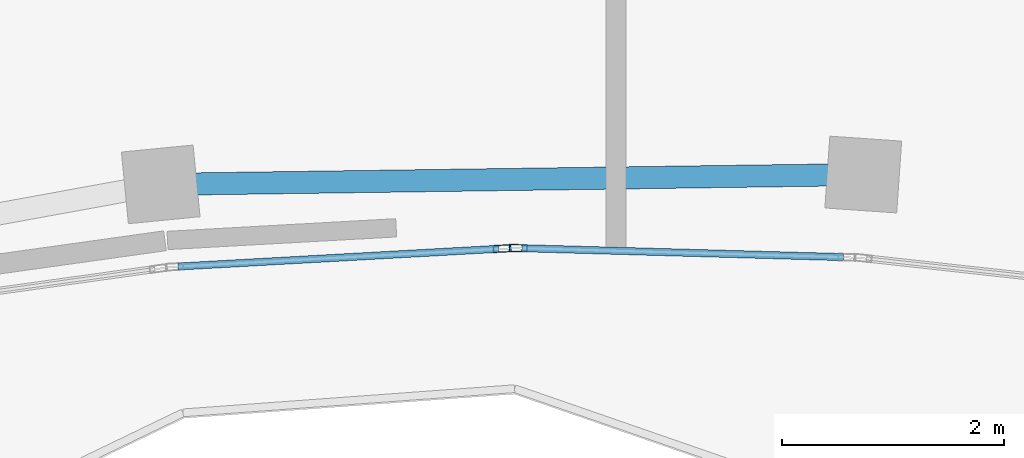
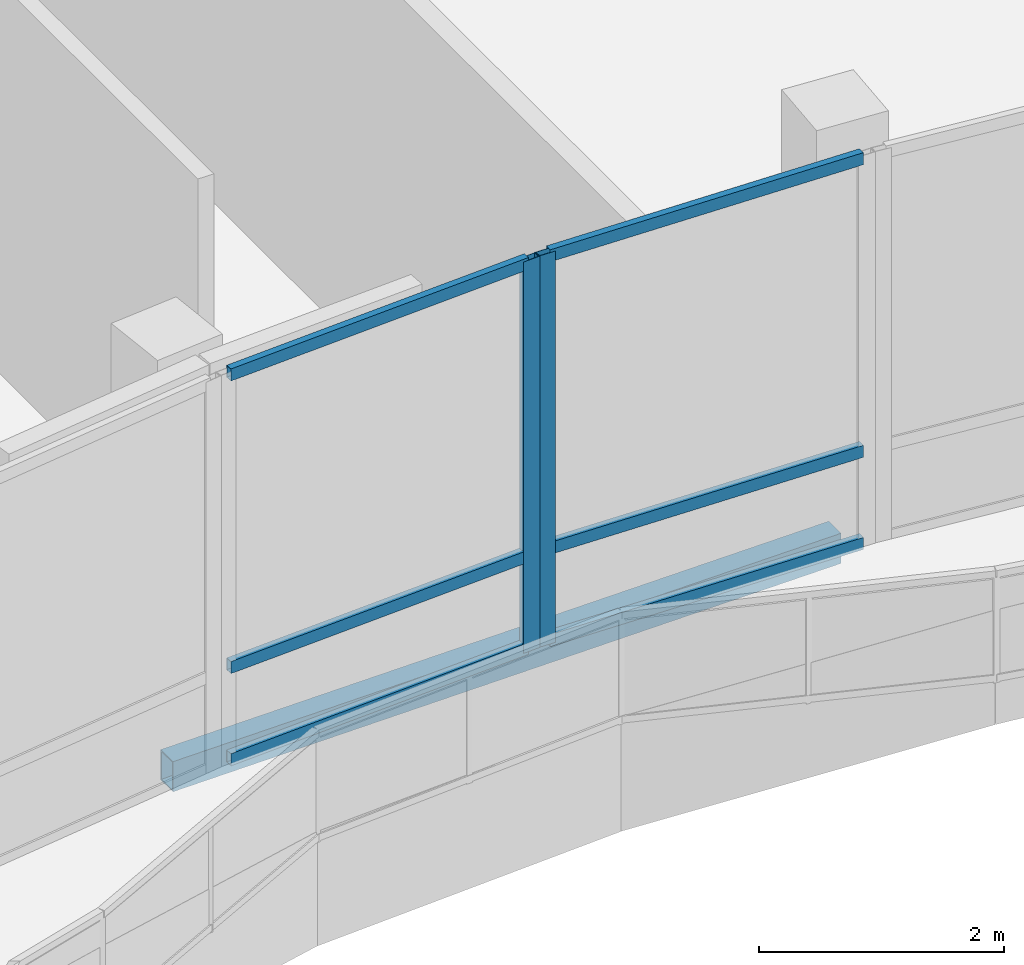
# One storey, part 69 of 184: 8 members, 1 beam, 2 elements without a shape of their own.
"""IFC4 building model written with IfcOpenShell, lengths in metres."""

from ifc_helpers import new_model, si_unit, direction, frame, origin, origin_2d, place, context, subcontext, project, spatial, hollow_rectangle, extrude, material, material_profile, profile_set, type_object, element, aggregate, save


model = new_model("IFC4")

# Units and contexts
model_context = context("Model", 3, precision=1e-05, world=origin(), true_north=direction((0.0, 1.0)))
body_context = subcontext(model_context, "Body", "Model", "MODEL_VIEW")
ifc_project = project(units=[si_unit("LENGTHUNIT", "METRE"), si_unit("AREAUNIT", "SQUARE_METRE"), si_unit("VOLUMEUNIT", "CUBIC_METRE"), si_unit("PLANEANGLEUNIT", "RADIAN"), si_unit("MASSUNIT", "GRAM", prefix="KILO")], contexts=[model_context])

# Site, building, storey
site_placement = place(None, origin())
site = spatial("IfcSite", under=ifc_project, at=site_placement, CompositionType="ELEMENT")
building_placement = place(site_placement, origin())
building = spatial("IfcBuilding", under=site, at=building_placement, Name="Selatvlak General Hospital", CompositionType="ELEMENT")
storey_placement = place(building_placement, frame((0.0, 0.0, 15.0)))
storey = spatial("IfcBuildingStorey", under=building, at=storey_placement, Name="L03", CompositionType="ELEMENT", Elevation=15.0)

# Beam
ifc_material_1 = material(Name="Steel S355", Category="steel")
ifc_material_profile_1 = material_profile(ifc_material_1, hollow_rectangle(XDim=0.199951171875, YDim=0.300048828125, WallThickness=0.011962890625, at=origin_2d()), Name="RHS 300x200x12")
ifc_profile_set_1 = profile_set([ifc_material_profile_1], Name="Steel S355")
beam_type = type_object("IfcBeamType", Name="BM-SP3", PredefinedType="SPANDREL", material=ifc_profile_set_1)
beam_placement = place(storey_placement, frame((136.2919921875, 54.570068359375, -0.489990234375), z_axis=(0.999901810608, 0.014013177494, 0.0), x_axis=(-0.014013177494, 0.999901810608, 0.0)))
element("IfcBeam", 1, at=beam_placement, inside=storey, type_object=beam_type, Name="Beam BMR-L03-1504", PredefinedType="SPANDREL", context=body_context, shape_type="SweptSolid", body=[
    extrude(hollow_rectangle(XDim=0.199951171875, YDim=0.300048828125, WallThickness=0.011962890625, at=origin_2d()), origin(), (0.0, 0.0, 1.0), 6.341796875),
])

# Curtain wall, member
ifc_material_2 = material(Name="Solar-control Low-E double glazing", Category="glass")
curtain_wall_type_1 = type_object("IfcCurtainWallType", Name="CW-CW-02", PredefinedType="USERDEFINED", material=ifc_material_2)
curtain_wall_1_placement = place(storey_placement, origin())
curtain_wall_1 = element("IfcCurtainWall", 2, at=curtain_wall_1_placement, inside=storey, type_object=curtain_wall_type_1, Name="Glazed facade curtain wall CW-L03-0404", ObjectType="UNITISED CURTAIN WALL", PredefinedType="USERDEFINED")
ifc_material_3 = material(Name="Dark anodised aluminium mullion", Category="aluminium")
ifc_material_profile_2 = material_profile(ifc_material_3, hollow_rectangle(XDim=0.06494140625, YDim=0.159912109375, WallThickness=0.00390625, at=origin_2d()), Name="AL-MUL 65x160x4")
ifc_profile_set_2 = profile_set([ifc_material_profile_2], Name="Dark anodised aluminium mullion")
member_type_1 = type_object("IfcMemberType", Name="CWM-01", PredefinedType="MULLION", material=ifc_profile_set_2)
member_1_placement = place(storey_placement, frame((139.5185546875, 53.9951171875, 0.0), z_axis=(0.0, 0.0, 1.0), x_axis=(-0.027693859483, -0.999616451519, 0.0)))
member_1 = element("IfcMember", 3, at=member_1_placement, type_object=member_type_1, Name="CW-02 mullion 2", PredefinedType="MULLION", context=body_context, shape_type="SweptSolid", body=[
    extrude(hollow_rectangle(XDim=0.06494140625, YDim=0.159912109375, WallThickness=0.00390625, at=origin_2d()), origin(), (0.0, 0.0, 1.0), 3.89501953125),
])

curtain_wall_type_2 = type_object("IfcCurtainWallType", Name="CW-CW-01", PredefinedType="USERDEFINED", material=ifc_material_2)
curtain_wall_2_placement = place(storey_placement, origin())
curtain_wall_2 = element("IfcCurtainWall", 4, at=curtain_wall_2_placement, inside=storey, type_object=curtain_wall_type_2, Name="Glazed facade curtain wall CW-L03-0405", ObjectType="UNITISED CURTAIN WALL", PredefinedType="USERDEFINED")
member_2_placement = place(storey_placement, frame((139.37353515625, 53.990234375, 0.0), z_axis=(0.0, 0.0, 1.0), x_axis=(0.055159032792, -0.998477581672, 0.0)))
member_2 = element("IfcMember", 5, at=member_2_placement, type_object=member_type_1, Name="CW-01 mullion 1", PredefinedType="MULLION", context=body_context, shape_type="SweptSolid", body=[
    extrude(hollow_rectangle(XDim=0.06494140625, YDim=0.159912109375, WallThickness=0.00390625, at=origin_2d()), origin(), (0.0, 0.0, 1.0), 3.89501953125),
])

# Member
ifc_material_profile_3 = material_profile(ifc_material_3, hollow_rectangle(XDim=0.06494140625, YDim=0.1201171875, WallThickness=0.00390625, at=origin_2d()), Name="AL-TRN 65x120x4")
ifc_profile_set_3 = profile_set([ifc_material_profile_3], Name="Dark anodised aluminium mullion")
member_type_2 = type_object("IfcMemberType", Name="CWT-01", PredefinedType="USERDEFINED", material=ifc_profile_set_3)
member_3_placement = place(storey_placement, frame((142.453125, 53.913818359375, 0.032470703125), z_axis=(-0.999617203596, 0.027666699755, 0.0), x_axis=(-0.027666699755, -0.999617203596, 0.0)))
member_3 = element("IfcMember", 6, at=member_3_placement, type_object=member_type_2, Name="CW-02 transom 1.1", ObjectType="TRANSOM", PredefinedType="USERDEFINED", context=body_context, shape_type="SweptSolid", body=[
    extrude(hollow_rectangle(XDim=0.06494140625, YDim=0.1201171875, WallThickness=0.00390625, at=origin_2d()), origin(), (0.0, 0.0, 1.0), 2.9033203125),
])

member_4_placement = place(storey_placement, frame((142.453125, 53.913818359375, 0.949951171875), z_axis=(-0.999617203596, 0.027666699755, 0.0), x_axis=(-0.027666699755, -0.999617203596, 0.0)))
member_4 = element("IfcMember", 7, at=member_4_placement, type_object=member_type_2, Name="CW-02 transom 1.2", ObjectType="TRANSOM", PredefinedType="USERDEFINED", context=body_context, shape_type="SweptSolid", body=[
    extrude(hollow_rectangle(XDim=0.06494140625, YDim=0.1201171875, WallThickness=0.00390625, at=origin_2d()), origin(), (0.0, 0.0, 1.0), 2.9033203125),
])

member_5_placement = place(storey_placement, frame((142.453125, 53.913818359375, 3.862548828125), z_axis=(-0.999617203596, 0.027666699755, 0.0), x_axis=(-0.027666699755, -0.999617203596, 0.0)))
member_5 = element("IfcMember", 8, at=member_5_placement, type_object=member_type_2, Name="CW-02 transom 1.3", ObjectType="TRANSOM", PredefinedType="USERDEFINED", context=body_context, shape_type="SweptSolid", body=[
    extrude(hollow_rectangle(XDim=0.06494140625, YDim=0.1201171875, WallThickness=0.00390625, at=origin_2d()), origin(), (0.0, 0.0, 1.0), 2.9033203125),
])

aggregate(curtain_wall_1, [member_1, member_3, member_4, member_5])

member_6_placement = place(storey_placement, frame((139.341064453125, 53.988525390625, 0.032470703125), z_axis=(-0.998475869557, -0.055190016419, 0.0), x_axis=(0.055190016419, -0.998475869557, 0.0)))
member_6 = element("IfcMember", 9, at=member_6_placement, type_object=member_type_2, Name="CW-01 transom 1.1", ObjectType="TRANSOM", PredefinedType="USERDEFINED", context=body_context, shape_type="SweptSolid", body=[
    extrude(hollow_rectangle(XDim=0.06494140625, YDim=0.1201171875, WallThickness=0.00390625, at=origin_2d()), origin(), (0.0, 0.0, 1.0), 2.8974609375),
])

member_7_placement = place(storey_placement, frame((139.341064453125, 53.988525390625, 0.949951171875), z_axis=(-0.998475869557, -0.055190016419, 0.0), x_axis=(0.055190016419, -0.998475869557, 0.0)))
member_7 = element("IfcMember", 10, at=member_7_placement, type_object=member_type_2, Name="CW-01 transom 1.2", ObjectType="TRANSOM", PredefinedType="USERDEFINED", context=body_context, shape_type="SweptSolid", body=[
    extrude(hollow_rectangle(XDim=0.06494140625, YDim=0.1201171875, WallThickness=0.00390625, at=origin_2d()), origin(), (0.0, 0.0, 1.0), 2.8974609375),
])

member_8_placement = place(storey_placement, frame((139.341064453125, 53.988525390625, 3.862548828125), z_axis=(-0.998475869557, -0.055190016419, 0.0), x_axis=(0.055190016419, -0.998475869557, 0.0)))
member_8 = element("IfcMember", 11, at=member_8_placement, type_object=member_type_2, Name="CW-01 transom 1.3", ObjectType="TRANSOM", PredefinedType="USERDEFINED", context=body_context, shape_type="SweptSolid", body=[
    extrude(hollow_rectangle(XDim=0.06494140625, YDim=0.1201171875, WallThickness=0.00390625, at=origin_2d()), origin(), (0.0, 0.0, 1.0), 2.8974609375),
])

aggregate(curtain_wall_2, [member_2, member_6, member_7, member_8])

save(model, "model.ifc")
